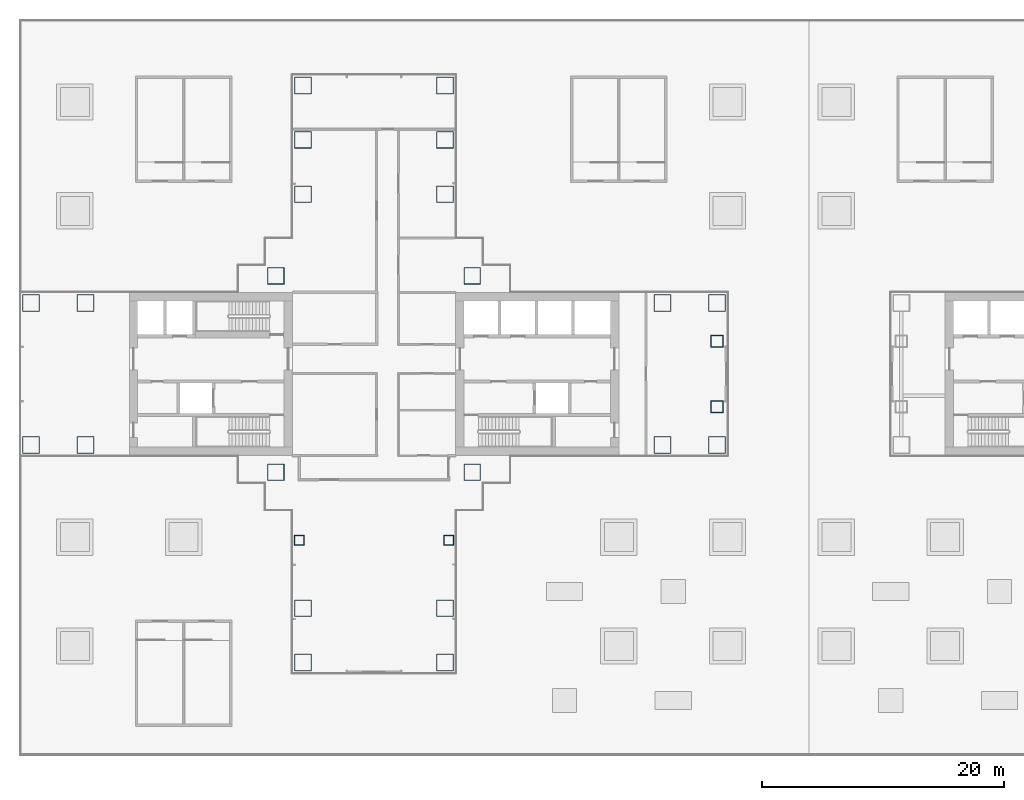
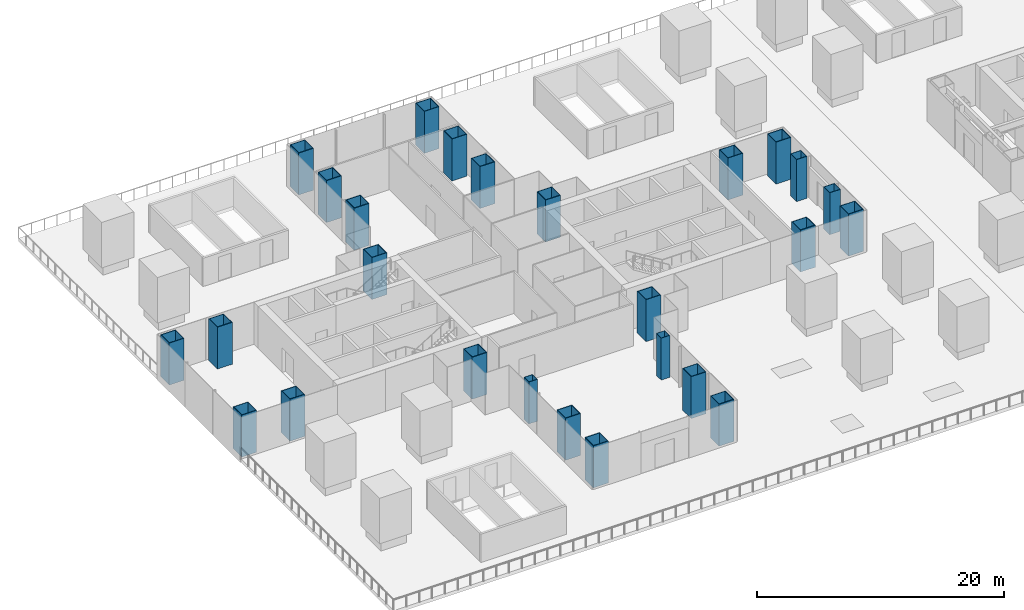
# One storey, part 1 of 23: 26 columns.
"""IFC4 building model written with IfcOpenShell, lengths in metres."""

from ifc_helpers import new_model, si_unit, direction, frame, origin, origin_2d, place, context, subcontext, project, spatial, hollow_rectangle, extrude, material, material_profile, profile_set, type_object, element, save


model = new_model("IFC4")

# Units and contexts
model_context = context("Model", 3, precision=1e-05, world=origin(), true_north=direction((0.0, 1.0)))
body_context = subcontext(model_context, "Body", "Model", "MODEL_VIEW")
ifc_project = project(units=[si_unit("LENGTHUNIT", "METRE"), si_unit("AREAUNIT", "SQUARE_METRE"), si_unit("VOLUMEUNIT", "CUBIC_METRE"), si_unit("PLANEANGLEUNIT", "RADIAN"), si_unit("MASSUNIT", "GRAM", prefix="KILO")], contexts=[model_context])

# Site, building, storey
site_placement = place(None, origin())
site = spatial("IfcSite", under=ifc_project, at=site_placement, CompositionType="ELEMENT")
building_placement = place(site_placement, origin())
building = spatial("IfcBuilding", under=site, at=building_placement, Name="Shamsa Quay Exchange Towers", CompositionType="ELEMENT")
storey_placement = place(building_placement, frame((0.0, 0.0, 28.5)))
storey = spatial("IfcBuildingStorey", under=building, at=storey_placement, Name="L05", CompositionType="ELEMENT", Elevation=28.5)

# Columns
ifc_material_1 = material(Name="Concrete-filled steel tube S355 / C80/95", Category="concrete")
ifc_material_profile_1 = material_profile(ifc_material_1, hollow_rectangle(XDim=1.39990234375, YDim=1.39990234375, WallThickness=0.050048828125, at=origin_2d()), Name="CFT 1400x1400x50")
ifc_profile_set_1 = profile_set([ifc_material_profile_1], Name="Concrete-filled steel tube S355 / C80/95")
column_type_1 = type_object("IfcColumnType", Name="Column CFT 1400x1400x50", PredefinedType="COLUMN", material=ifc_profile_set_1)
for number, where, name in (
    (1, (-25.625, 8.125, 0.0), "Mega column T1-CM01"),
    (2, (-25.625, -8.125, 0.0), "Mega column T1-CM02"),
    (3, (-41.875, 8.125, 0.0), "Mega column T1-CM03"),
    (4, (-41.875, -8.125, 0.0), "Mega column T1-CM04"),
    (5, (-9.875, -5.875, 0.0), "Mega column T1-CM05"),
    (6, (-5.375, -5.875, 0.0), "Mega column T1-CM06"),
    (7, (-9.875, 5.875, 0.0), "Mega column T1-CM07"),
    (8, (-5.375, 5.875, 0.0), "Mega column T1-CM08"),
    (9, (-57.625, -5.875, 0.0), "Mega column T1-CM09"),
    (10, (-62.125, -5.875, 0.0), "Mega column T1-CM10"),
    (11, (-57.625, 5.875, 0.0), "Mega column T1-CM11"),
    (12, (-62.125, 5.875, 0.0), "Mega column T1-CM12"),
    (13, (-39.625, 14.875, 0.0), "Mega column T1-CM13"),
    (14, (-39.625, 19.375, 0.0), "Mega column T1-CM14"),
    (15, (-39.625, 23.875, 0.0), "Mega column T1-CM15"),
    (16, (-27.875, 14.875, 0.0), "Mega column T1-CM16"),
    (17, (-27.875, 19.375, 0.0), "Mega column T1-CM17"),
    (18, (-27.875, 23.875, 0.0), "Mega column T1-CM18"),
    (19, (-39.625, -19.375, 0.0), "Mega column T1-CM20"),
    (20, (-39.625, -23.875, 0.0), "Mega column T1-CM21"),
    (21, (-27.875, -19.375, 0.0), "Mega column T1-CM23"),
    (22, (-27.875, -23.875, 0.0), "Mega column T1-CM24"),
):
    element("IfcColumn", number, at=place(storey_placement, frame(where)), inside=storey, type_object=column_type_1, Name=name, PredefinedType="COLUMN", context=body_context, shape_type="SweptSolid", body=[
        extrude(hollow_rectangle(XDim=1.39990234375, YDim=1.39990234375, WallThickness=0.050048828125, at=origin_2d()), origin(), (0.0, 0.0, 1.0), 4.14990234375),
    ])
ifc_material_2 = material(Name="Concrete-filled steel tube S355 / C60/75", Category="concrete")
ifc_material_profile_2 = material_profile(ifc_material_2, hollow_rectangle(XDim=0.800048828125, YDim=0.800048828125, WallThickness=0.02490234375, at=origin_2d()), Name="CFT 800x800x25")
ifc_profile_set_2 = profile_set([ifc_material_profile_2], Name="Concrete-filled steel tube S355 / C60/75")
column_type_2 = type_object("IfcColumnType", Name="Column CFT 800x800x25", PredefinedType="COLUMN", material=ifc_profile_set_2)
for number, where, name in (
    (23, (-39.9375, -13.75, 0.0), "Perimeter column T1-CP19"),
    (24, (-27.5625, -13.75, 0.0), "Perimeter column T1-CP22"),
):
    element("IfcColumn", number, at=place(storey_placement, frame(where)), inside=storey, type_object=column_type_2, Name=name, PredefinedType="COLUMN", context=body_context, shape_type="SweptSolid", body=[
        extrude(hollow_rectangle(XDim=0.800048828125, YDim=0.800048828125, WallThickness=0.02490234375, at=origin_2d()), origin(), (0.0, 0.0, 1.0), 4.14990234375),
    ])
ifc_material_3 = material(Name="Concrete-filled steel tube S355 / C70/85", Category="concrete")
ifc_material_profile_3 = material_profile(ifc_material_3, hollow_rectangle(XDim=1.0, YDim=1.0, WallThickness=0.0400390625, at=origin_2d()), Name="CFT 1000x1000x40")
ifc_profile_set_3 = profile_set([ifc_material_profile_3], Name="Concrete-filled steel tube S355 / C70/85")
column_type_3 = type_object("IfcColumnType", Name="Landing column CFT 1000x1000x40", PredefinedType="COLUMN", material=ifc_profile_set_3)
for number, where, name in (
    (25, (-5.375, -2.699951171875, 0.0), "Landing column T1 S"),
    (26, (-5.375, 2.699951171875, 0.0), "Landing column T1 N"),
):
    element("IfcColumn", number, at=place(storey_placement, frame(where)), inside=storey, type_object=column_type_3, Name=name, PredefinedType="COLUMN", context=body_context, shape_type="SweptSolid", body=[
        extrude(hollow_rectangle(XDim=1.0, YDim=1.0, WallThickness=0.0400390625, at=origin_2d()), origin(), (0.0, 0.0, 1.0), 4.14990234375),
    ])

save(model, "model.ifc")
